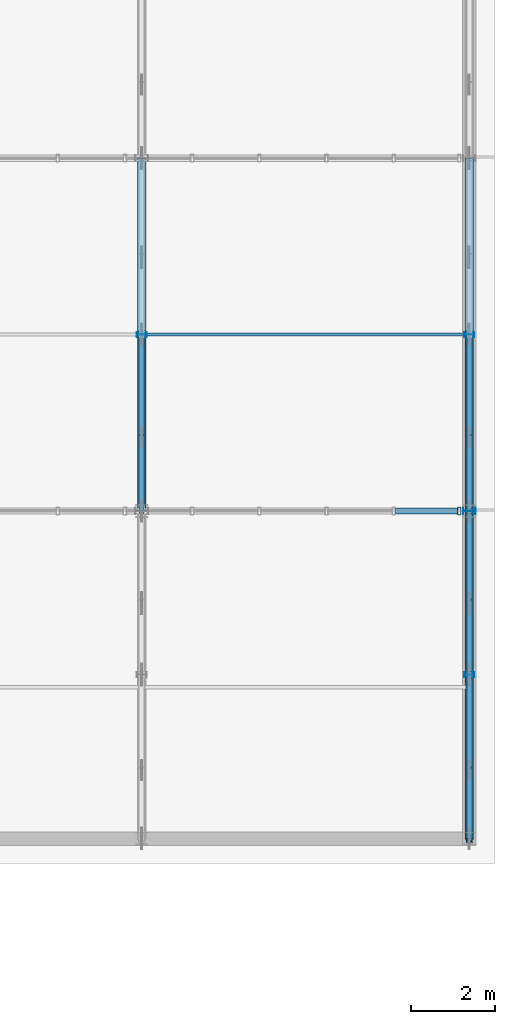
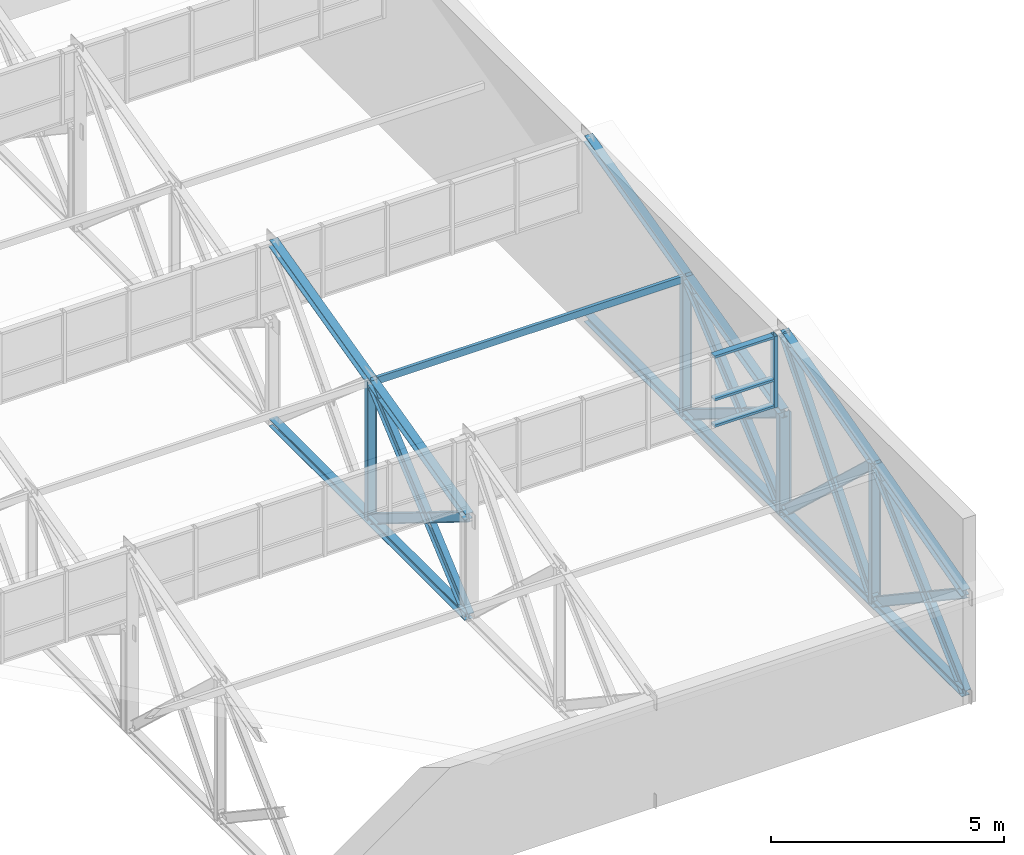
# One storey, part 78 of 123: 27 members, 1 element without a shape of its own.
"""IFC4 building model written with IfcOpenShell, lengths in metres."""

from ifc_helpers import new_model, si_unit, direction, frame, origin, origin_2d, place, context, subcontext, project, spatial, hollow_rectangle, i_section, extrude, material, layer, layer_set, material_profile, profile_set, type_object, element, aggregate, save


model = new_model("IFC4")

# Units and contexts
model_context = context("Model", 3, precision=1e-05, world=origin(), true_north=direction((0.0, 1.0)))
body_context = subcontext(model_context, "Body", "Model", "MODEL_VIEW")
ifc_project = project(units=[si_unit("LENGTHUNIT", "METRE"), si_unit("AREAUNIT", "SQUARE_METRE"), si_unit("VOLUMEUNIT", "CUBIC_METRE"), si_unit("PLANEANGLEUNIT", "RADIAN"), si_unit("MASSUNIT", "GRAM", prefix="KILO")], contexts=[model_context])

# Site, building, storey
site_placement = place(None, origin())
site = spatial("IfcSite", under=ifc_project, at=site_placement, CompositionType="ELEMENT")
building_placement = place(site_placement, origin())
building = spatial("IfcBuilding", under=site, at=building_placement, Name="Zayran Congress Hotel", CompositionType="ELEMENT")
storey_placement = place(building_placement, frame((0.0, 0.0, 15.0)))
storey = spatial("IfcBuildingStorey", under=building, at=storey_placement, Name="L03", CompositionType="ELEMENT", Elevation=15.0)

# Members
ifc_material_1 = material(Name="Steel S355", Category="steel")
ifc_material_profile_1 = material_profile(ifc_material_1, i_section(OverallWidth=0.199951171875, OverallDepth=0.199951171875, WebThickness=0.009033203125, FlangeThickness=0.014892578125, at=origin_2d()), Name="HEB 200")
ifc_profile_set_1 = profile_set([ifc_material_profile_1], Name="Steel S355")
member_type_1 = type_object("IfcMemberType", Name="TP-TR-CH2", PredefinedType="CHORD", material=ifc_profile_set_1)
member_1_placement = place(storey_placement, frame((176.39990234375, 17.199951171875, 0.0), z_axis=(0.0, 1.0, 0.0), x_axis=(-1.0, 0.0, 0.0)))
element("IfcMember", 1, at=member_1_placement, inside=storey, type_object=member_type_1, Name="Sawtooth Truss Bottom Chord 722", PredefinedType="CHORD", context=body_context, shape_type="SweptSolid", body=[
    extrude(i_section(OverallWidth=0.199951171875, OverallDepth=0.199951171875, WebThickness=0.009033203125, FlangeThickness=0.014892578125, at=origin_2d()), origin(), (0.0, 0.0, 1.0), 8.400146484375),
])
member_2_placement = place(storey_placement, frame((176.39990234375, 17.199951171875, 2.60009765625), z_axis=(0.0, 0.970299887237, 0.241905206287), x_axis=(-1.0, 0.0, 0.0)))
element("IfcMember", 2, at=member_2_placement, inside=storey, type_object=member_type_1, Name="Sawtooth Truss Top Chord 723", PredefinedType="CHORD", context=body_context, shape_type="SweptSolid", body=[
    extrude(i_section(OverallWidth=0.199951171875, OverallDepth=0.199951171875, WebThickness=0.009033203125, FlangeThickness=0.014892578125, at=origin_2d()), origin(), (0.0, 0.0, 1.0), 8.6572265625),
])
member_3_placement = place(storey_placement, frame((184.199951171875, 9.39990234375, 0.0), z_axis=(0.0, 1.0, 0.0), x_axis=(-1.0, 0.0, 0.0)))
element("IfcMember", 3, at=member_3_placement, inside=storey, type_object=member_type_1, Name="Sawtooth Truss Bottom Chord 734", PredefinedType="CHORD", context=body_context, shape_type="SweptSolid", body=[
    extrude(i_section(OverallWidth=0.199951171875, OverallDepth=0.199951171875, WebThickness=0.009033203125, FlangeThickness=0.014892578125, at=origin_2d()), origin(), (0.0, 0.0, 1.0), 7.800048828125),
])
member_4_placement = place(storey_placement, frame((184.199951171875, 9.39990234375, 2.60009765625), z_axis=(0.0, 0.96579502769, 0.259306699663), x_axis=(-1.0, 0.0, 0.0)))
element("IfcMember", 4, at=member_4_placement, inside=storey, type_object=member_type_1, Name="Sawtooth Truss Top Chord 735", PredefinedType="CHORD", context=body_context, shape_type="SweptSolid", body=[
    extrude(i_section(OverallWidth=0.199951171875, OverallDepth=0.199951171875, WebThickness=0.009033203125, FlangeThickness=0.014892578125, at=origin_2d()), origin(), (0.0, 0.0, 1.0), 8.076416015625),
])
member_5_placement = place(storey_placement, frame((184.199951171875, 17.199951171875, 0.0), z_axis=(0.0, 1.0, 0.0), x_axis=(-1.0, 0.0, 0.0)))
element("IfcMember", 5, at=member_5_placement, inside=storey, type_object=member_type_1, Name="Sawtooth Truss Bottom Chord 738", PredefinedType="CHORD", context=body_context, shape_type="SweptSolid", body=[
    extrude(i_section(OverallWidth=0.199951171875, OverallDepth=0.199951171875, WebThickness=0.009033203125, FlangeThickness=0.014892578125, at=origin_2d()), origin(), (0.0, 0.0, 1.0), 8.400146484375),
])
member_6_placement = place(storey_placement, frame((184.199951171875, 17.199951171875, 2.60009765625), z_axis=(0.0, 0.970299887237, 0.241905206287), x_axis=(-1.0, 0.0, 0.0)))
element("IfcMember", 6, at=member_6_placement, inside=storey, type_object=member_type_1, Name="Sawtooth Truss Top Chord 739", PredefinedType="CHORD", context=body_context, shape_type="SweptSolid", body=[
    extrude(i_section(OverallWidth=0.199951171875, OverallDepth=0.199951171875, WebThickness=0.009033203125, FlangeThickness=0.014892578125, at=origin_2d()), origin(), (0.0, 0.0, 1.0), 8.6572265625),
])
ifc_material_profile_2 = material_profile(ifc_material_1, i_section(OverallWidth=0.14990234375, OverallDepth=0.300048828125, WebThickness=0.007080078125, FlangeThickness=0.0107421875, at=origin_2d()), Name="IPE 300")
ifc_profile_set_2 = profile_set([ifc_material_profile_2], Name="Steel S355")
member_type_2 = type_object("IfcMemberType", Name="TP-TR-BR1", PredefinedType="BRACE", material=ifc_profile_set_2)
member_7_placement = place(storey_placement, frame((176.39990234375, 17.199951171875, 0.0), z_axis=(0.0, 0.755042838954, 0.655675461904), x_axis=(-1.0, 0.0, 0.0)))
element("IfcMember", 7, at=member_7_placement, inside=storey, type_object=member_type_2, Name="Sawtooth Truss Diagonal 724", PredefinedType="BRACE", context=body_context, shape_type="SweptSolid", body=[
    extrude(i_section(OverallWidth=0.14990234375, OverallDepth=0.300048828125, WebThickness=0.007080078125, FlangeThickness=0.0107421875, at=origin_2d()), origin(), (0.0, 0.0, 1.0), 5.5625),
])
member_8_placement = place(storey_placement, frame((184.199951171875, 9.39990234375, 0.0), z_axis=(0.0, 0.730393544503, 0.68302655157), x_axis=(-1.0, 0.0, 0.0)))
element("IfcMember", 8, at=member_8_placement, inside=storey, type_object=member_type_2, Name="Sawtooth Truss Diagonal 736", PredefinedType="BRACE", context=body_context, shape_type="SweptSolid", body=[
    extrude(i_section(OverallWidth=0.14990234375, OverallDepth=0.300048828125, WebThickness=0.007080078125, FlangeThickness=0.0107421875, at=origin_2d()), origin(), (0.0, 0.0, 1.0), 5.33984375),
])
member_9_placement = place(storey_placement, frame((184.199951171875, 13.300048828125, 0.0), z_axis=(0.0, 0.639018966279, 0.769190978065), x_axis=(-1.0, 0.0, 0.0)))
element("IfcMember", 9, at=member_9_placement, inside=storey, type_object=member_type_2, Name="Sawtooth Truss Diagonal Bay2 178", PredefinedType="BRACE", context=body_context, shape_type="SweptSolid", body=[
    extrude(i_section(OverallWidth=0.14990234375, OverallDepth=0.300048828125, WebThickness=0.007080078125, FlangeThickness=0.0107421875, at=origin_2d()), origin(), (0.0, 0.0, 1.0), 6.10302734375),
])
member_10_placement = place(storey_placement, frame((184.199951171875, 17.199951171875, 0.0), z_axis=(0.0, 0.755042838954, 0.655675461904), x_axis=(-1.0, 0.0, 0.0)))
element("IfcMember", 10, at=member_10_placement, inside=storey, type_object=member_type_2, Name="Sawtooth Truss Diagonal 740", PredefinedType="BRACE", context=body_context, shape_type="SweptSolid", body=[
    extrude(i_section(OverallWidth=0.14990234375, OverallDepth=0.300048828125, WebThickness=0.007080078125, FlangeThickness=0.0107421875, at=origin_2d()), origin(), (0.0, 0.0, 1.0), 5.5625),
])
member_11_placement = place(storey_placement, frame((184.199951171875, 17.199951171875, 0.0), z_axis=(0.0, 0.0, 1.0), x_axis=(0.0, 1.0, 0.0)))
element("IfcMember", 11, at=member_11_placement, inside=storey, type_object=member_type_2, Name="TRV-01 Sawtooth Truss Strut", PredefinedType="BRACE", context=body_context, shape_type="SweptSolid", body=[
    extrude(i_section(OverallWidth=0.14990234375, OverallDepth=0.300048828125, WebThickness=0.007080078125, FlangeThickness=0.0107421875, at=origin_2d()), origin(), (0.0, 0.0, 1.0), 2.60009765625),
])
ifc_material_profile_3 = material_profile(ifc_material_1, i_section(OverallWidth=0.1201171875, OverallDepth=0.239990234375, WebThickness=0.006103515625, FlangeThickness=0.009765625, at=origin_2d()), Name="IPE 240")
ifc_profile_set_3 = profile_set([ifc_material_profile_3], Name="Steel S355")
member_type_3 = type_object("IfcMemberType", Name="TP-TR-BR2", PredefinedType="BRACE", material=ifc_profile_set_3)
member_12_placement = place(storey_placement, frame((176.39990234375, 17.199951171875, 2.60009765625), z_axis=(0.0, 0.85027534384, -0.526338141938), x_axis=(-1.0, 0.0, 0.0)))
element("IfcMember", 12, at=member_12_placement, inside=storey, type_object=member_type_3, Name="Sawtooth Truss Counter Diagonal Upper 725", PredefinedType="BRACE", context=body_context, shape_type="SweptSolid", body=[
    extrude(i_section(OverallWidth=0.1201171875, OverallDepth=0.239990234375, WebThickness=0.006103515625, FlangeThickness=0.009765625, at=origin_2d()), origin(), (0.0, 0.0, 1.0), 2.041015625),
])
member_13_placement = place(storey_placement, frame((176.39990234375, 18.960693359375, 1.510009765625), z_axis=(0.0, 0.850261519338, -0.526360474137), x_axis=(-1.0, 0.0, 0.0)))
element("IfcMember", 13, at=member_13_placement, inside=storey, type_object=member_type_3, Name="Sawtooth Truss Counter Diagonal Lower 165", PredefinedType="BRACE", context=body_context, shape_type="SweptSolid", body=[
    extrude(i_section(OverallWidth=0.1201171875, OverallDepth=0.239990234375, WebThickness=0.006103515625, FlangeThickness=0.009765625, at=origin_2d()), origin(), (0.0, 0.0, 1.0), 2.868896484375),
])
member_14_placement = place(storey_placement, frame((176.39990234375, 21.39990234375, 0.0), z_axis=(0.0, 0.0, 1.0), x_axis=(0.0, 1.0, 0.0)))
element("IfcMember", 14, at=member_14_placement, inside=storey, type_object=member_type_3, Name="TRV-01 Sawtooth Truss Strut", PredefinedType="BRACE", context=body_context, shape_type="SweptSolid", body=[
    extrude(i_section(OverallWidth=0.1201171875, OverallDepth=0.239990234375, WebThickness=0.006103515625, FlangeThickness=0.009765625, at=origin_2d()), origin(), (0.0, 0.0, 1.0), 3.647216796875),
])
member_15_placement = place(storey_placement, frame((184.199951171875, 9.39990234375, 2.60009765625), z_axis=(0.0, 0.831992082034, -0.554787504755), x_axis=(-1.0, 0.0, 0.0)))
element("IfcMember", 15, at=member_15_placement, inside=storey, type_object=member_type_3, Name="Sawtooth Truss Counter Diagonal Upper 737", PredefinedType="BRACE", context=body_context, shape_type="SweptSolid", body=[
    extrude(i_section(OverallWidth=0.1201171875, OverallDepth=0.239990234375, WebThickness=0.006103515625, FlangeThickness=0.009765625, at=origin_2d()), origin(), (0.0, 0.0, 1.0), 1.935791015625),
])
member_16_placement = place(storey_placement, frame((184.199951171875, 11.03564453125, 1.509521484375), z_axis=(0.0, 0.832064095683, -0.55467949365), x_axis=(-1.0, 0.0, 0.0)))
element("IfcMember", 16, at=member_16_placement, inside=storey, type_object=member_type_3, Name="Sawtooth Truss Counter Diagonal Lower 177", PredefinedType="BRACE", context=body_context, shape_type="SweptSolid", body=[
    extrude(i_section(OverallWidth=0.1201171875, OverallDepth=0.239990234375, WebThickness=0.006103515625, FlangeThickness=0.009765625, at=origin_2d()), origin(), (0.0, 0.0, 1.0), 2.721435546875),
])
member_17_placement = place(storey_placement, frame((184.199951171875, 13.300048828125, 3.647216796875), z_axis=(0.0, 0.730340857111, -0.683082888407), x_axis=(-1.0, 0.0, 0.0)))
element("IfcMember", 17, at=member_17_placement, inside=storey, type_object=member_type_3, Name="Sawtooth Truss Counter Diagonal Bay2 Upper 179", PredefinedType="BRACE", context=body_context, shape_type="SweptSolid", body=[
    extrude(i_section(OverallWidth=0.1201171875, OverallDepth=0.239990234375, WebThickness=0.006103515625, FlangeThickness=0.009765625, at=origin_2d()), origin(), (0.0, 0.0, 1.0), 2.319580078125),
])
member_18_placement = place(storey_placement, frame((184.199951171875, 15.01611328125, 2.042236328125), z_axis=(0.0, 0.7303896686, -0.683030696237), x_axis=(-1.0, 0.0, 0.0)))
element("IfcMember", 18, at=member_18_placement, inside=storey, type_object=member_type_3, Name="Sawtooth Truss Counter Diagonal Bay2 Lower 180", PredefinedType="BRACE", context=body_context, shape_type="SweptSolid", body=[
    extrude(i_section(OverallWidth=0.1201171875, OverallDepth=0.239990234375, WebThickness=0.006103515625, FlangeThickness=0.009765625, at=origin_2d()), origin(), (0.0, 0.0, 1.0), 2.989990234375),
])
member_19_placement = place(storey_placement, frame((184.199951171875, 13.300048828125, 0.0), z_axis=(0.0, 0.0, 1.0), x_axis=(0.0, 1.0, 0.0)))
element("IfcMember", 19, at=member_19_placement, inside=storey, type_object=member_type_3, Name="TRV-01 Sawtooth Truss Strut", PredefinedType="BRACE", context=body_context, shape_type="SweptSolid", body=[
    extrude(i_section(OverallWidth=0.1201171875, OverallDepth=0.239990234375, WebThickness=0.006103515625, FlangeThickness=0.009765625, at=origin_2d()), origin(), (0.0, 0.0, 1.0), 3.647216796875),
])
member_20_placement = place(storey_placement, frame((184.199951171875, 17.199951171875, 2.60009765625), z_axis=(0.0, 0.85027534384, -0.526338141938), x_axis=(-1.0, 0.0, 0.0)))
element("IfcMember", 20, at=member_20_placement, inside=storey, type_object=member_type_3, Name="Sawtooth Truss Counter Diagonal Upper 741", PredefinedType="BRACE", context=body_context, shape_type="SweptSolid", body=[
    extrude(i_section(OverallWidth=0.1201171875, OverallDepth=0.239990234375, WebThickness=0.006103515625, FlangeThickness=0.009765625, at=origin_2d()), origin(), (0.0, 0.0, 1.0), 2.041015625),
])
member_21_placement = place(storey_placement, frame((184.199951171875, 18.960693359375, 1.510009765625), z_axis=(0.0, 0.850261519338, -0.526360474137), x_axis=(-1.0, 0.0, 0.0)))
element("IfcMember", 21, at=member_21_placement, inside=storey, type_object=member_type_3, Name="Sawtooth Truss Counter Diagonal Lower 181", PredefinedType="BRACE", context=body_context, shape_type="SweptSolid", body=[
    extrude(i_section(OverallWidth=0.1201171875, OverallDepth=0.239990234375, WebThickness=0.006103515625, FlangeThickness=0.009765625, at=origin_2d()), origin(), (0.0, 0.0, 1.0), 2.868896484375),
])
member_22_placement = place(storey_placement, frame((184.199951171875, 21.39990234375, 0.0), z_axis=(0.0, 0.0, 1.0), x_axis=(0.0, 1.0, 0.0)))
element("IfcMember", 22, at=member_22_placement, inside=storey, type_object=member_type_3, Name="TRV-01 Sawtooth Truss Strut", PredefinedType="BRACE", context=body_context, shape_type="SweptSolid", body=[
    extrude(i_section(OverallWidth=0.1201171875, OverallDepth=0.239990234375, WebThickness=0.006103515625, FlangeThickness=0.009765625, at=origin_2d()), origin(), (0.0, 0.0, 1.0), 3.647216796875),
])
ifc_material_profile_4 = material_profile(ifc_material_1, hollow_rectangle(XDim=0.080078125, YDim=0.179931640625, WallThickness=0.0048828125, at=origin_2d()), Name="RHS 180x80x5")
ifc_profile_set_4 = profile_set([ifc_material_profile_4], Name="Steel S355")
member_type_4 = type_object("IfcMemberType", Name="TP-PR-02", PredefinedType="PURLIN", material=ifc_profile_set_4)
member_23_placement = place(storey_placement, frame((176.39990234375, 21.39990234375, 3.572265625), z_axis=(1.0, 0.0, 0.0), x_axis=(0.0, 1.0, 0.0)))
element("IfcMember", 23, at=member_23_placement, inside=storey, type_object=member_type_4, Name="MEM-PR-V3-0208", PredefinedType="PURLIN", context=body_context, shape_type="SweptSolid", body=[
    extrude(hollow_rectangle(XDim=0.080078125, YDim=0.179931640625, WallThickness=0.0048828125, at=origin_2d()), origin(), (0.0, 0.0, 1.0), 7.800048828125),
])

# Curtain wall, members
ifc_material_2 = material(Name="Anodised aluminium and low-E insulated glass", Category="aluminium")
ifc_layer = layer(ifc_material_2, 0.179931640625)
ifc_layer_set = layer_set([ifc_layer], Name="Anodised aluminium and low-E insulated glass")
curtain_wall_type = type_object("IfcCurtainWallType", Name="CW-V3SAW-L03-CW-V31-32000-1870", PredefinedType="USERDEFINED", material=ifc_layer_set)
curtain_wall_placement = place(storey_placement, origin())
curtain_wall = element("IfcCurtainWall", 24, at=curtain_wall_placement, inside=storey, type_object=curtain_wall_type, Name="CW-V3SAW-1", ObjectType="CURTAIN WALL", PredefinedType="USERDEFINED")
ifc_material_3 = material(Name="Anodised aluminium framing", Category="aluminium")
ifc_material_profile_5 = material_profile(ifc_material_3, hollow_rectangle(XDim=0.080078125, YDim=0.179931640625, WallThickness=0.0048828125, at=origin_2d()), Name="RHS 180x80x5")
ifc_profile_set_5 = profile_set([ifc_material_profile_5], Name="Anodised aluminium framing")
member_type_5 = type_object("IfcMemberType", Name="TP-CWM-01", PredefinedType="MULLION", material=ifc_profile_set_5)
member_24_placement = place(storey_placement, frame((183.9599609375, 17.199951171875, 2.85009765625), z_axis=(0.0, 0.0, 1.0), x_axis=(1.0, 0.0, 0.0)))
member_24 = element("IfcMember", 25, at=member_24_placement, type_object=member_type_5, Name="CW-V3SAW-1-M00", PredefinedType="MULLION", context=body_context, shape_type="SweptSolid", body=[
    extrude(hollow_rectangle(XDim=0.080078125, YDim=0.179931640625, WallThickness=0.0048828125, at=origin_2d()), origin(), (0.0, 0.0, 1.0), 1.869873046875),
])
ifc_material_profile_6 = material_profile(ifc_material_3, hollow_rectangle(XDim=0.06005859375, YDim=0.14990234375, WallThickness=0.00390625, at=origin_2d()), Name="RHS 150x60x4")
ifc_profile_set_6 = profile_set([ifc_material_profile_6], Name="Anodised aluminium framing")
member_type_6 = type_object("IfcMemberType", Name="TP-CWT-01", PredefinedType="USERDEFINED", material=ifc_profile_set_6)
member_25_placement = place(storey_placement, frame((183.919921875, 17.199951171875, 2.8798828125), z_axis=(-1.0, 0.0, 0.0), x_axis=(0.0, 0.0, 1.0)))
member_25 = element("IfcMember", 26, at=member_25_placement, type_object=member_type_6, Name="CW-V3SAW-1-T00-0", ObjectType="TRANSOM", PredefinedType="USERDEFINED", context=body_context, shape_type="SweptSolid", body=[
    extrude(hollow_rectangle(XDim=0.06005859375, YDim=0.14990234375, WallThickness=0.00390625, at=origin_2d()), origin(), (0.0, 0.0, 1.0), 1.47998046875),
])
member_26_placement = place(storey_placement, frame((183.919921875, 17.199951171875, 3.570068359375), z_axis=(-1.0, 0.0, 0.0), x_axis=(0.0, 0.0, 1.0)))
member_26 = element("IfcMember", 27, at=member_26_placement, type_object=member_type_6, Name="CW-V3SAW-1-T00-1", ObjectType="TRANSOM", PredefinedType="USERDEFINED", context=body_context, shape_type="SweptSolid", body=[
    extrude(hollow_rectangle(XDim=0.06005859375, YDim=0.14990234375, WallThickness=0.00390625, at=origin_2d()), origin(), (0.0, 0.0, 1.0), 1.47998046875),
])
member_27_placement = place(storey_placement, frame((183.919921875, 17.199951171875, 4.68994140625), z_axis=(-1.0, 0.0, 0.0), x_axis=(0.0, 0.0, 1.0)))
member_27 = element("IfcMember", 28, at=member_27_placement, type_object=member_type_6, Name="CW-V3SAW-1-T00-2", ObjectType="TRANSOM", PredefinedType="USERDEFINED", context=body_context, shape_type="SweptSolid", body=[
    extrude(hollow_rectangle(XDim=0.06005859375, YDim=0.14990234375, WallThickness=0.00390625, at=origin_2d()), origin(), (0.0, 0.0, 1.0), 1.47998046875),
])
aggregate(curtain_wall, [member_24, member_25, member_26, member_27])

save(model, "model.ifc")
